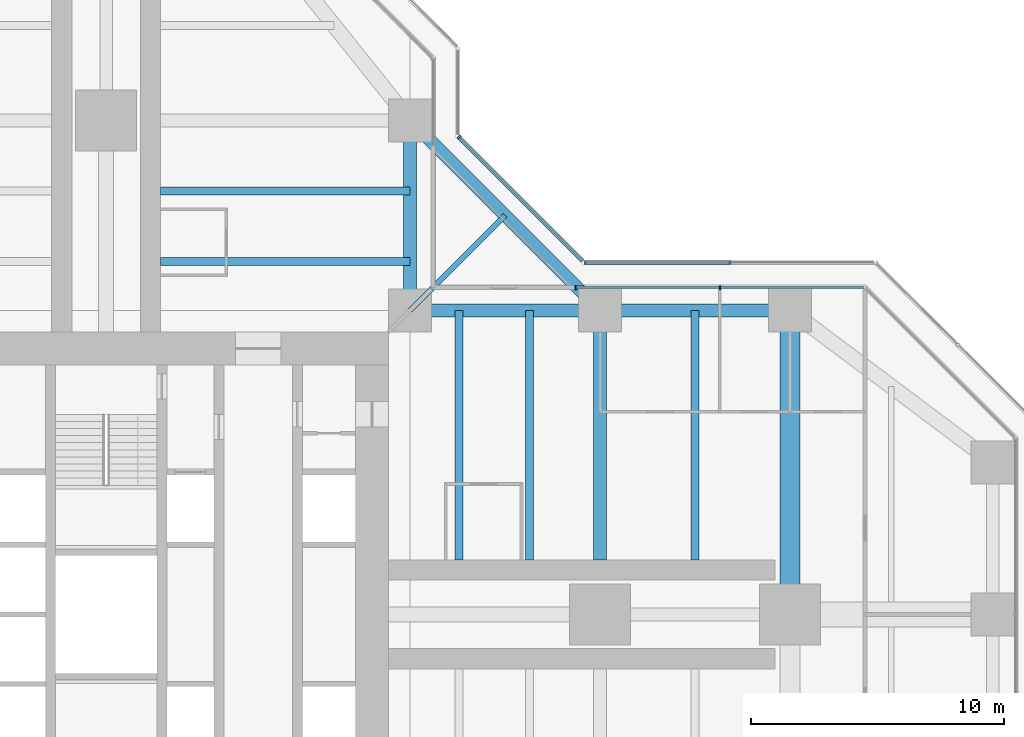
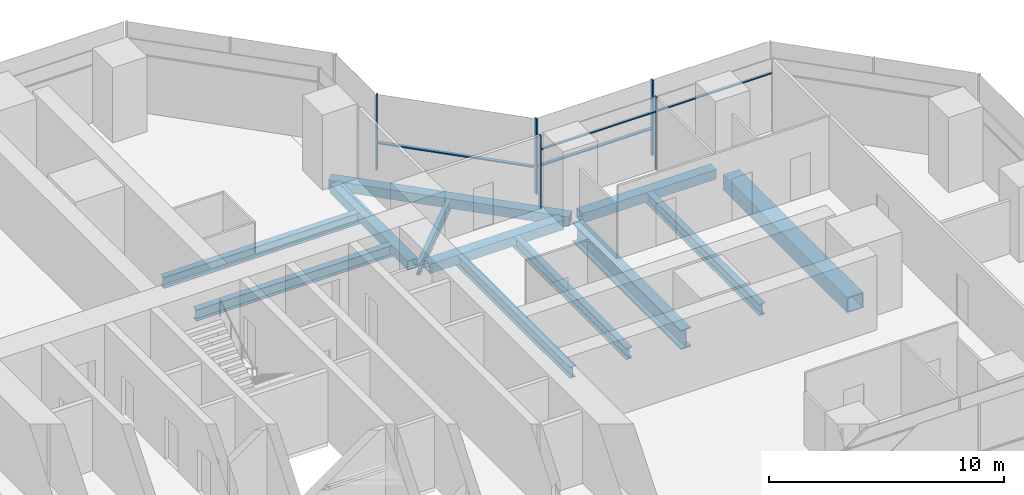
# One storey, part 9 of 20: 12 beams, 9 members, 3 elements without a shape of their own.
"""IFC4 building model written with IfcOpenShell, lengths in metres."""

from ifc_helpers import new_model, si_unit, direction, frame, origin, origin_2d, place, context, subcontext, project, spatial, rectangle, hollow_rectangle, i_section, extrude, material, material_profile, profile_set, type_object, element, aggregate, save


model = new_model("IFC4")

# Units and contexts
model_context = context("Model", 3, precision=1e-05, world=origin(), true_north=direction((0.0, 1.0)))
body_context = subcontext(model_context, "Body", "Model", "MODEL_VIEW")
ifc_project = project(units=[si_unit("LENGTHUNIT", "METRE"), si_unit("AREAUNIT", "SQUARE_METRE"), si_unit("VOLUMEUNIT", "CUBIC_METRE"), si_unit("PLANEANGLEUNIT", "RADIAN"), si_unit("MASSUNIT", "GRAM", prefix="KILO")], contexts=[model_context])

# Site, building, storey
site_placement = place(None, origin())
site = spatial("IfcSite", under=ifc_project, at=site_placement, CompositionType="ELEMENT")
building_placement = place(site_placement, origin())
building = spatial("IfcBuilding", under=site, at=building_placement, Name="Mizan Broadcast Tower", CompositionType="ELEMENT")
storey_placement = place(building_placement, frame((0.0, 0.0, 151.5)))
storey = spatial("IfcBuildingStorey", under=building, at=storey_placement, Name="L34", CompositionType="ELEMENT", Elevation=151.5)

# Beams
ifc_material_1 = material(Name="Steel S355", Category="steel")
ifc_material_profile_1 = material_profile(ifc_material_1, hollow_rectangle(XDim=0.5, YDim=0.5, WallThickness=0.030029296875, at=origin_2d()), Name="BOX 500x500x30")
ifc_profile_set_1 = profile_set([ifc_material_profile_1], Name="Steel S355")
beam_type_1 = type_object("IfcBeamType", Name="EDGE BEAM BOX 500x500x30", PredefinedType="SPANDREL", material=ifc_profile_set_1)
for number, where, z_axis, x_axis, name in (
    (1, (12.449951171875, 12.0, -0.3798828125), (1.0, 0.0, 0.0), (0.0, 1.0, 0.0), "Edge beam BOX 500x500x30 L34 east arm"),
    (2, (19.949951171875, 12.0, -0.3798828125), (1.0, 0.0, 0.0), (0.0, 1.0, 0.0), "Edge beam BOX 500x500x30 L34 east arm"),
    (3, (12.0, 12.449951171875, -0.3798828125), (0.0, 1.0, 0.0), (-1.0, 0.0, 0.0), "Edge beam BOX 500x500x30 L34 north arm"),
):
    element("IfcBeam", number, at=place(storey_placement, frame(where, z_axis=z_axis, x_axis=x_axis)), inside=storey, type_object=beam_type_1, Name=name, PredefinedType="SPANDREL", context=body_context, shape_type="SweptSolid", body=[
        extrude(hollow_rectangle(XDim=0.5, YDim=0.5, WallThickness=0.030029296875, at=origin_2d()), origin(), (0.0, 0.0, 1.0), 6.60009765625),
    ])
beam_1_placement = place(storey_placement, frame((19.5, 12.0, -0.3798828125), z_axis=(-0.707106781187, 0.707106781187, 0.0), x_axis=(-0.707106781187, -0.707106781187, 0.0)))
element("IfcBeam", 4, at=beam_1_placement, inside=storey, type_object=beam_type_1, Name="Winter garden edge beam L34 E", PredefinedType="SPANDREL", context=body_context, shape_type="SweptSolid", body=[
    extrude(hollow_rectangle(XDim=0.5, YDim=0.5, WallThickness=0.030029296875, at=origin_2d()), origin(), (0.0, 0.0, 1.0), 10.606689453125),
])
ifc_material_2 = material(Name="Steel S460", Category="steel")
ifc_material_profile_2 = material_profile(ifc_material_2, hollow_rectangle(XDim=0.800048828125, YDim=0.800048828125, WallThickness=0.050048828125, at=origin_2d()), Name="BOX 800x800x50")
ifc_profile_set_2 = profile_set([ifc_material_profile_2], Name="Steel S460")
beam_type_2 = type_object("IfcBeamType", Name="GIRDER BOX 800x800x50", PredefinedType="BEAM", material=ifc_profile_set_2)
beam_2_placement = place(storey_placement, frame((27.0, 11.280029296875, -0.530029296875), z_axis=(0.0, -1.0, 0.0), x_axis=(1.0, 0.0, 0.0)))
element("IfcBeam", 5, at=beam_2_placement, inside=storey, type_object=beam_type_2, Name="Girder BOX 800x800x50 L34 east arm", PredefinedType="BEAM", context=body_context, shape_type="SweptSolid", body=[
    extrude(hollow_rectangle(XDim=0.800048828125, YDim=0.800048828125, WallThickness=0.050048828125, at=origin_2d()), origin(), (0.0, 0.0, 1.0), 10.56005859375),
])
ifc_material_3 = material(Name="Steel S460", Category="steel")
ifc_material_profile_3 = material_profile(ifc_material_3, i_section(OverallWidth=0.5, OverallDepth=1.0, WebThickness=0.02490234375, FlangeThickness=0.050048828125, at=origin_2d()), Name="WPG 1000x500")
ifc_profile_set_3 = profile_set([ifc_material_profile_3], Name="Steel S460")
beam_type_3 = type_object("IfcBeamType", Name="GIRDER WPG 1000x500", PredefinedType="BEAM", material=ifc_profile_set_3)
beam_3_placement = place(storey_placement, frame((19.5, 11.408935546875, -0.6298828125), z_axis=(0.0, -1.0, 0.0), x_axis=(1.0, 0.0, 0.0)))
element("IfcBeam", 6, at=beam_3_placement, inside=storey, type_object=beam_type_3, Name="Girder WPG 1000x500 L34 east arm", PredefinedType="BEAM", context=body_context, shape_type="SweptSolid", body=[
    extrude(i_section(OverallWidth=0.5, OverallDepth=1.0, WebThickness=0.02490234375, FlangeThickness=0.050048828125, at=origin_2d()), origin(), (0.0, 0.0, 1.0), 9.259033203125),
])

# Curtain wall, members
ifc_material_4 = material(Name="Aluminium framed glazing", Category="aluminium")
curtain_wall_type_1 = type_object("IfcCurtainWallType", Name="INNER SKIN MID ZONE", PredefinedType="USERDEFINED", material=ifc_material_4)
curtain_wall_1_placement = place(storey_placement, origin())
curtain_wall_1 = element("IfcCurtainWall", 7, at=curtain_wall_1_placement, inside=storey, type_object=curtain_wall_type_1, Name="Inner skin mid zone L34 E side", ObjectType="INNER SKIN MID ZONE", PredefinedType="USERDEFINED")
ifc_material_5 = material(Name="Aluminium, pale anodised", Category="aluminium")
ifc_material_profile_4 = material_profile(ifc_material_5, rectangle(XDim=0.159912109375, YDim=0.06005859375, at=origin_2d()), Name="MULLION 160x60")
ifc_profile_set_4 = profile_set([ifc_material_profile_4], Name="Aluminium, pale anodised")
member_type_1 = type_object("IfcMemberType", Name="INNER SKIN MULLION 60x160", PredefinedType="MULLION", material=ifc_profile_set_4)
member_1_placement = place(storey_placement, frame((24.229248046875, 12.89990234375, 0.0), z_axis=(0.0, 0.0, 1.0), x_axis=(0.0, -1.0, 0.0)))
member_1 = element("IfcMember", 8, at=member_1_placement, type_object=member_type_1, Name="Inner skin mid zone L34 E side mullion 2", PredefinedType="MULLION", context=body_context, shape_type="SweptSolid", body=[
    extrude(rectangle(XDim=0.159912109375, YDim=0.06005859375, at=origin_2d()), origin(), (0.0, 0.0, 1.0), 3.77001953125),
])
member_2_placement = place(storey_placement, frame((18.530029296875, 12.89990234375, 0.0), z_axis=(0.0, 0.0, 1.0), x_axis=(0.0, -1.0, 0.0)))
member_2 = element("IfcMember", 9, at=member_2_placement, type_object=member_type_1, Name="Inner skin mid zone L34 E side mullion 3", PredefinedType="MULLION", context=body_context, shape_type="SweptSolid", body=[
    extrude(rectangle(XDim=0.159912109375, YDim=0.06005859375, at=origin_2d()), origin(), (0.0, 0.0, 1.0), 3.77001953125),
])
ifc_material_6 = material(Name="Aluminium, pale anodised", Category="aluminium")
ifc_material_profile_5 = material_profile(ifc_material_6, rectangle(XDim=0.1201171875, YDim=0.06005859375, at=origin_2d()), Name="TRANSOM 120x60")
ifc_profile_set_5 = profile_set([ifc_material_profile_5], Name="Aluminium, pale anodised")
member_type_2 = type_object("IfcMemberType", Name="INNER SKIN TRANSOM 60x120", PredefinedType="USERDEFINED", material=ifc_profile_set_5)
member_3_placement = place(storey_placement, frame((29.898681640625, 12.89990234375, 3.030029296875), z_axis=(-1.0, 0.0, 0.0), x_axis=(0.0, -1.0, 0.0)))
member_3 = element("IfcMember", 10, at=member_3_placement, type_object=member_type_2, Name="Inner skin mid zone L34 E side transom 1.1", ObjectType="TRANSOM", PredefinedType="USERDEFINED", context=body_context, shape_type="SweptSolid", body=[
    extrude(rectangle(XDim=0.1201171875, YDim=0.06005859375, at=origin_2d()), origin(), (0.0, 0.0, 1.0), 5.639404296875),
])
member_4_placement = place(storey_placement, frame((24.19921875, 12.89990234375, 3.030029296875), z_axis=(-1.0, 0.0, 0.0), x_axis=(0.0, -1.0, 0.0)))
member_4 = element("IfcMember", 11, at=member_4_placement, type_object=member_type_2, Name="Inner skin mid zone L34 E side transom 2.1", ObjectType="TRANSOM", PredefinedType="USERDEFINED", context=body_context, shape_type="SweptSolid", body=[
    extrude(rectangle(XDim=0.1201171875, YDim=0.06005859375, at=origin_2d()), origin(), (0.0, 0.0, 1.0), 5.63916015625),
])
aggregate(curtain_wall_1, [member_1, member_2, member_3, member_4])

ifc_material_7 = material(Name="Aluminium framed glazing", Category="aluminium")
curtain_wall_type_2 = type_object("IfcCurtainWallType", Name="OUTER SKIN", PredefinedType="USERDEFINED", material=ifc_material_7)
curtain_wall_2_placement = place(storey_placement, origin())
curtain_wall_2 = element("IfcCurtainWall", 12, at=curtain_wall_2_placement, inside=storey, type_object=curtain_wall_type_2, Name="Outer skin L34 E side", ObjectType="OUTER SKIN", PredefinedType="USERDEFINED")
ifc_material_8 = material(Name="Aluminium, pale anodised", Category="aluminium")
ifc_material_profile_6 = material_profile(ifc_material_8, rectangle(XDim=0.159912109375, YDim=0.080078125, at=origin_2d()), Name="MULLION 160x80")
ifc_profile_set_6 = profile_set([ifc_material_profile_6], Name="Aluminium, pale anodised")
member_type_3 = type_object("IfcMemberType", Name="OUTER SKIN MULLION 80x160", PredefinedType="MULLION", material=ifc_profile_set_6)
member_5_placement = place(storey_placement, frame((24.622802734375, 13.89990234375, 0.0), z_axis=(0.0, 0.0, 1.0), x_axis=(0.0, -1.0, 0.0)))
member_5 = element("IfcMember", 13, at=member_5_placement, type_object=member_type_3, Name="Outer skin L34 E side mullion 2", PredefinedType="MULLION", context=body_context, shape_type="SweptSolid", body=[
    extrude(rectangle(XDim=0.159912109375, YDim=0.080078125, at=origin_2d()), origin(), (0.0, 0.0, 1.0), 3.89990234375),
])
member_6_placement = place(storey_placement, frame((18.912841796875, 13.89990234375, 0.0), z_axis=(0.0, 0.0, 1.0), x_axis=(0.0, -1.0, 0.0)))
member_6 = element("IfcMember", 14, at=member_6_placement, type_object=member_type_3, Name="Outer skin L34 E side mullion 3", PredefinedType="MULLION", context=body_context, shape_type="SweptSolid", body=[
    extrude(rectangle(XDim=0.159912109375, YDim=0.080078125, at=origin_2d()), origin(), (0.0, 0.0, 1.0), 3.89990234375),
])

# Curtain wall, member
curtain_wall_3_placement = place(storey_placement, origin())
curtain_wall_3 = element("IfcCurtainWall", 15, at=curtain_wall_3_placement, inside=storey, type_object=curtain_wall_type_2, Name="Outer skin L34 E chamfer", ObjectType="OUTER SKIN", PredefinedType="USERDEFINED")
member_7_placement = place(storey_placement, frame((13.92822265625, 18.844482421875, 0.0), z_axis=(0.0, 0.0, 1.0), x_axis=(-0.707106781187, -0.707106781187, 0.0)))
member_7 = element("IfcMember", 16, at=member_7_placement, type_object=member_type_3, Name="Outer skin L34 E chamfer mullion 2", PredefinedType="MULLION", context=body_context, shape_type="SweptSolid", body=[
    extrude(rectangle(XDim=0.159912109375, YDim=0.080078125, at=origin_2d()), origin(), (0.0, 0.0, 1.0), 3.89990234375),
])

# Member
ifc_material_9 = material(Name="Aluminium, pale anodised", Category="aluminium")
ifc_material_profile_7 = material_profile(ifc_material_9, rectangle(XDim=0.159912109375, YDim=0.06005859375, at=origin_2d()), Name="TRANSOM 160x60")
ifc_profile_set_7 = profile_set([ifc_material_profile_7], Name="Aluminium, pale anodised")
member_type_4 = type_object("IfcMemberType", Name="OUTER SKIN TRANSOM 60x160", PredefinedType="USERDEFINED", material=ifc_profile_set_7)
member_8_placement = place(storey_placement, frame((24.582763671875, 13.89990234375, 1.39990234375), z_axis=(-1.0, 0.0, 0.0), x_axis=(0.0, -1.0, 0.0)))
member_8 = element("IfcMember", 17, at=member_8_placement, type_object=member_type_4, Name="Outer skin L34 E side transom 2.1", ObjectType="TRANSOM", PredefinedType="USERDEFINED", context=body_context, shape_type="SweptSolid", body=[
    extrude(rectangle(XDim=0.159912109375, YDim=0.06005859375, at=origin_2d()), origin(), (0.0, 0.0, 1.0), 5.6298828125),
])

aggregate(curtain_wall_2, [member_5, member_6, member_8])

member_9_placement = place(storey_placement, frame((18.816162109375, 13.95654296875, 1.39990234375), z_axis=(-0.707106781187, 0.707106781187, 0.0), x_axis=(-0.707106781187, -0.707106781187, 0.0)))
member_9 = element("IfcMember", 18, at=member_9_placement, type_object=member_type_4, Name="Outer skin L34 E chamfer transom 1.1", ObjectType="TRANSOM", PredefinedType="USERDEFINED", context=body_context, shape_type="SweptSolid", body=[
    extrude(rectangle(XDim=0.159912109375, YDim=0.06005859375, at=origin_2d()), origin(), (0.0, 0.0, 1.0), 6.87255859375),
])

aggregate(curtain_wall_3, [member_7, member_9])

# Beams
ifc_material_10 = material(Name="Steel S355", Category="steel")
ifc_material_profile_8 = material_profile(ifc_material_10, i_section(OverallWidth=0.300048828125, OverallDepth=0.590087890625, WebThickness=0.012939453125, FlangeThickness=0.02490234375, FilletRadius=0.027099609375, at=origin_2d()), Name="HEA 600")
ifc_profile_set_8 = profile_set([ifc_material_profile_8], Name="Steel S355")
beam_type_4 = type_object("IfcBeamType", Name="SECONDARY BEAM HEA 600", PredefinedType="JOIST", material=ifc_profile_set_8)
for number, where, z_axis, x_axis, name in (
    (19, (13.933349609375, 12.0, -0.425048828125), (0.0, -1.0, 0.0), (1.0, 0.0, 0.0), "Secondary beam HEA 600 L34 east arm"),
    (20, (16.716552734375, 12.0, -0.425048828125), (0.0, -1.0, 0.0), (1.0, 0.0, 0.0), "Secondary beam HEA 600 L34 east arm"),
    (21, (23.25, 12.0, -0.425048828125), (0.0, -1.0, 0.0), (1.0, 0.0, 0.0), "Secondary beam HEA 600 L34 east arm"),
    (22, (12.0, 13.933349609375, -0.425048828125), (-1.0, 0.0, 0.0), (0.0, -1.0, 0.0), "Secondary beam HEA 600 L34 north arm"),
    (23, (12.0, 16.716552734375, -0.425048828125), (-1.0, 0.0, 0.0), (0.0, -1.0, 0.0), "Secondary beam HEA 600 L34 north arm"),
):
    element("IfcBeam", number, at=place(storey_placement, frame(where, z_axis=z_axis, x_axis=x_axis)), inside=storey, type_object=beam_type_4, Name=name, PredefinedType="JOIST", context=body_context, shape_type="SweptSolid", body=[
        extrude(i_section(OverallWidth=0.300048828125, OverallDepth=0.590087890625, WebThickness=0.012939453125, FlangeThickness=0.02490234375, FilletRadius=0.027099609375, at=origin_2d()), origin(), (0.0, 0.0, 1.0), 9.85009765625),
    ])
ifc_material_11 = material(Name="Steel S355", Category="steel")
ifc_material_profile_9 = material_profile(ifc_material_11, i_section(OverallWidth=0.2099609375, OverallDepth=0.550048828125, WebThickness=0.010986328125, FlangeThickness=0.01708984375, FilletRadius=0.02392578125, at=origin_2d()), Name="IPE 550")
ifc_profile_set_9 = profile_set([ifc_material_profile_9], Name="Steel S355")
beam_type_5 = type_object("IfcBeamType", Name="SECONDARY BEAM IPE 550", PredefinedType="JOIST", material=ifc_profile_set_9)
beam_4_placement = place(storey_placement, frame((12.0, 12.0, -0.405029296875), z_axis=(0.707106781187, 0.707106781187, 0.0), x_axis=(-0.707106781187, 0.707106781187, 0.0)))
element("IfcBeam", 24, at=beam_4_placement, inside=storey, type_object=beam_type_5, Name="Winter garden beam L34 E", PredefinedType="JOIST", context=body_context, shape_type="SweptSolid", body=[
    extrude(i_section(OverallWidth=0.2099609375, OverallDepth=0.550048828125, WebThickness=0.010986328125, FlangeThickness=0.01708984375, FilletRadius=0.02392578125, at=origin_2d()), origin(), (0.0, 0.0, 1.0), 5.30322265625),
])

save(model, "model.ifc")
